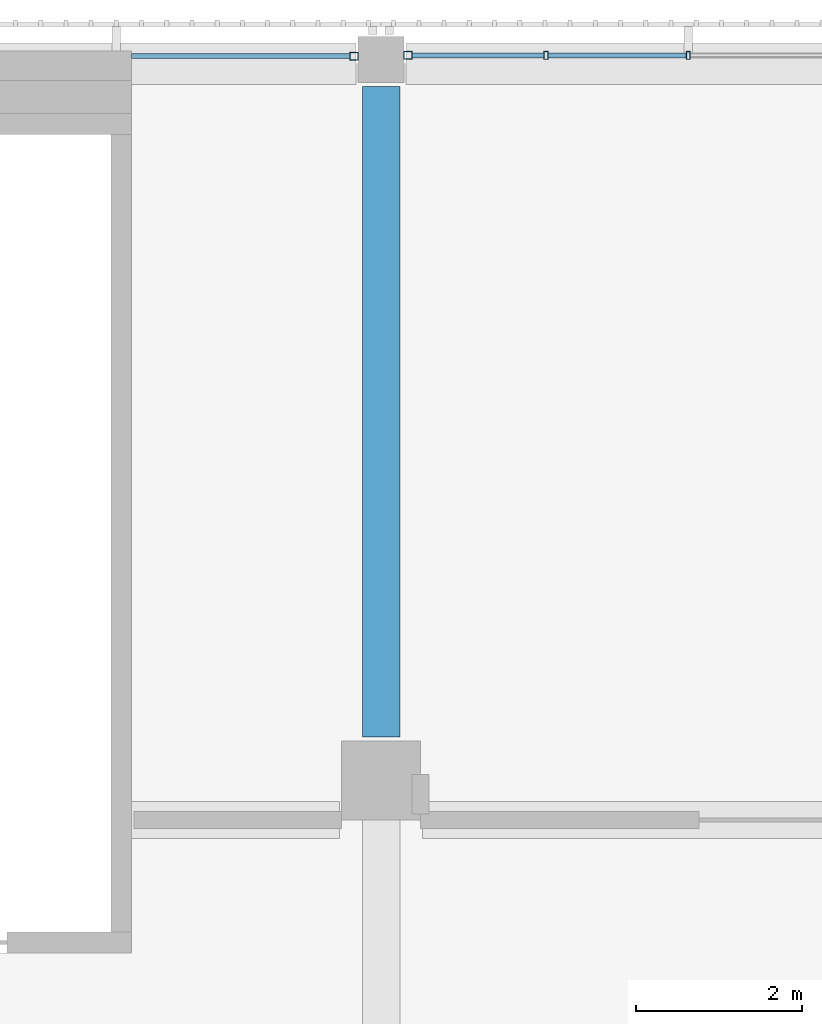
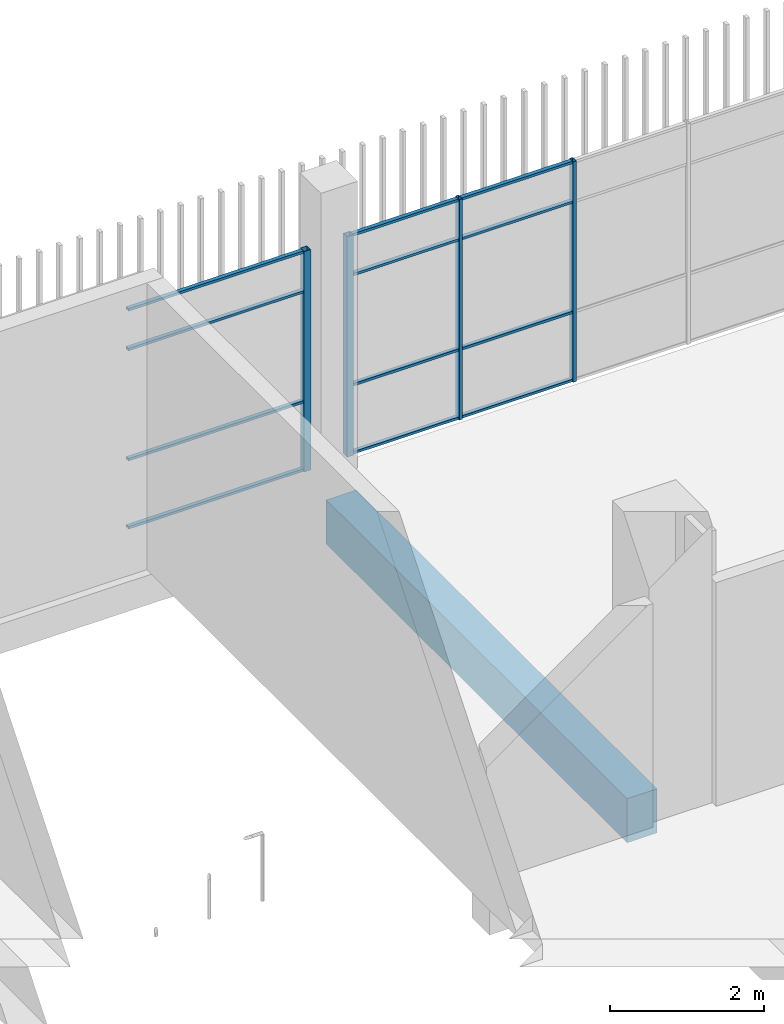
# One storey, part 34 of 104: 16 members, 1 beam, 2 elements without a shape of their own.
"""IFC4 building model written with IfcOpenShell, lengths in metres."""

from ifc_helpers import new_model, si_unit, direction, frame, origin, origin_2d, place, context, subcontext, project, spatial, rectangle, hollow_rectangle, extrude, material, layer, layer_set, material_profile, profile_set, type_object, element, aggregate, save


model = new_model("IFC4")

# Units and contexts
model_context = context("Model", 3, precision=1e-05, world=origin(), true_north=direction((0.0, 1.0)))
body_context = subcontext(model_context, "Body", "Model", "MODEL_VIEW")
ifc_project = project(units=[si_unit("LENGTHUNIT", "METRE"), si_unit("AREAUNIT", "SQUARE_METRE"), si_unit("VOLUMEUNIT", "CUBIC_METRE"), si_unit("PLANEANGLEUNIT", "RADIAN"), si_unit("MASSUNIT", "GRAM", prefix="KILO")], contexts=[model_context])

# Site, building, storey
site_placement = place(None, origin())
site = spatial("IfcSite", under=ifc_project, at=site_placement, CompositionType="ELEMENT")
building_placement = place(site_placement, origin())
building = spatial("IfcBuilding", under=site, at=building_placement, Name="Shirokan Park Arena", CompositionType="ELEMENT")
storey_placement = place(building_placement, frame((0.0, 0.0, 10.919921875)))
storey = spatial("IfcBuildingStorey", under=building, at=storey_placement, Name="L02", CompositionType="ELEMENT", Elevation=10.919921875)

# Curtain wall, member
ifc_material_1 = material(Name="Steel and glass curtain wall", Category="steel")
ifc_layer_1 = layer(ifc_material_1, 0.10009765625)
ifc_layer_set_1 = layer_set([ifc_layer_1], Name="Steel and glass curtain wall 100 mm")
curtain_wall_type_1 = type_object("IfcCurtainWallType", Name="Curtain wall sheltered bay 100", PredefinedType="NOTDEFINED", material=ifc_layer_set_1)
curtain_wall_1_placement = place(storey_placement, origin())
curtain_wall_1 = element("IfcCurtainWall", 1, at=curtain_wall_1_placement, inside=storey, type_object=curtain_wall_type_1, Name="Curtain wall north bay 6 L02", PredefinedType="NOTDEFINED")
ifc_material_2 = material(Name="Steel S355", Category="steel")
ifc_material_profile_1 = material_profile(ifc_material_2, hollow_rectangle(XDim=0.10009765625, YDim=0.10009765625, WallThickness=0.006103515625, at=origin_2d()), Name="RHS 100x100x6")
ifc_profile_set_1 = profile_set([ifc_material_profile_1], Name="Steel S355")
member_type_1 = type_object("IfcMemberType", Name="Mullion RHS 100x100x6", PredefinedType="MULLION", material=ifc_profile_set_1)
member_1_placement = place(storey_placement, frame((91.324951171875, 109.300048828125, 0.0), z_axis=(0.0, 0.0, 1.0), x_axis=(0.0, -1.0, 0.0)))
member_1 = element("IfcMember", 2, at=member_1_placement, type_object=member_type_1, Name="CW2 mullion 6", PredefinedType="MULLION", context=body_context, shape_type="SweptSolid", body=[
    extrude(hollow_rectangle(XDim=0.10009765625, YDim=0.10009765625, WallThickness=0.006103515625, at=origin_2d()), origin(), (0.0, 0.0, 1.0), 3.5),
])

ifc_layer_2 = layer(ifc_material_1, 0.1201171875)
ifc_layer_set_2 = layer_set([ifc_layer_2], Name="Steel and glass curtain wall 120 mm")
curtain_wall_type_2 = type_object("IfcCurtainWallType", Name="Curtain wall corner block side bay 120", PredefinedType="NOTDEFINED", material=ifc_layer_set_2)
curtain_wall_2_placement = place(storey_placement, origin())
curtain_wall_2 = element("IfcCurtainWall", 3, at=curtain_wall_2_placement, inside=storey, type_object=curtain_wall_type_2, Name="Curtain wall north bay 7 L02", PredefinedType="NOTDEFINED")
member_2_placement = place(storey_placement, frame((90.675048828125, 109.2900390625, 0.0), z_axis=(0.0, 0.0, 1.0), x_axis=(0.0, -1.0, 0.0)))
member_2 = element("IfcMember", 4, at=member_2_placement, type_object=member_type_1, Name="CW3 mullion 1", PredefinedType="MULLION", context=body_context, shape_type="SweptSolid", body=[
    extrude(hollow_rectangle(XDim=0.10009765625, YDim=0.10009765625, WallThickness=0.006103515625, at=origin_2d()), origin(), (0.0, 0.0, 1.0), 3.5),
])

# Member
ifc_material_profile_2 = material_profile(ifc_material_2, hollow_rectangle(XDim=0.10009765625, YDim=0.050048828125, WallThickness=0.0048828125, at=origin_2d()), Name="RHS 100x50x5")
ifc_profile_set_2 = profile_set([ifc_material_profile_2], Name="Steel S355")
member_type_2 = type_object("IfcMemberType", Name="Mullion RHS 100x50x5", PredefinedType="MULLION", material=ifc_profile_set_2)
member_3_placement = place(storey_placement, frame((94.695068359375, 109.300048828125, 0.0), z_axis=(0.0, 0.0, 1.0), x_axis=(0.0, -1.0, 0.0)))
member_3 = element("IfcMember", 5, at=member_3_placement, type_object=member_type_2, Name="CW2 mullion 4", PredefinedType="MULLION", context=body_context, shape_type="SweptSolid", body=[
    extrude(hollow_rectangle(XDim=0.10009765625, YDim=0.050048828125, WallThickness=0.0048828125, at=origin_2d()), origin(), (0.0, 0.0, 1.0), 3.5),
])

member_4_placement = place(storey_placement, frame((92.985107421875, 109.300048828125, 0.0), z_axis=(0.0, 0.0, 1.0), x_axis=(0.0, -1.0, 0.0)))
member_4 = element("IfcMember", 6, at=member_4_placement, type_object=member_type_2, Name="CW2 mullion 5", PredefinedType="MULLION", context=body_context, shape_type="SweptSolid", body=[
    extrude(hollow_rectangle(XDim=0.10009765625, YDim=0.050048828125, WallThickness=0.0048828125, at=origin_2d()), origin(), (0.0, 0.0, 1.0), 3.5),
])

# Beam
ifc_material_3 = material(Name="Concrete C35", Category="concrete")
ifc_material_profile_3 = material_profile(ifc_material_3, rectangle(XDim=0.449951171875, YDim=0.699951171875, at=origin_2d()), Name="450x700")
ifc_profile_set_3 = profile_set([ifc_material_profile_3], Name="Concrete C35")
beam_type = type_object("IfcBeamType", Name="RC girder 450x700", PredefinedType="BEAM", material=ifc_profile_set_3)
beam_placement = place(storey_placement, frame((91.0, 101.10009765625, -0.64990234375), z_axis=(0.0, 1.0, 0.0), x_axis=(-1.0, 0.0, 0.0)))
element("IfcBeam", 7, at=beam_placement, inside=storey, type_object=beam_type, Name="Girder 11M-11N L02", PredefinedType="BEAM", context=body_context, shape_type="SweptSolid", body=[
    extrude(rectangle(XDim=0.449951171875, YDim=0.699951171875, at=origin_2d()), origin(), (0.0, 0.0, 1.0), 7.82470703125),
])

# Member
ifc_material_profile_4 = material_profile(ifc_material_2, hollow_rectangle(XDim=0.06005859375, YDim=0.0400390625, WallThickness=0.00390625, at=origin_2d()), Name="RHS 60x40x4")
ifc_profile_set_4 = profile_set([ifc_material_profile_4], Name="Steel S355")
member_type_3 = type_object("IfcMemberType", Name="Transom RHS 60x40x4", PredefinedType="MULLION", material=ifc_profile_set_4)
member_5_placement = place(storey_placement, frame((94.669921875, 109.300048828125, 0.02001953125), z_axis=(-1.0, 0.0, 0.0), x_axis=(0.0, -1.0, 0.0)))
member_5 = element("IfcMember", 8, at=member_5_placement, type_object=member_type_3, Name="CW2 transom 4.1", PredefinedType="MULLION", context=body_context, shape_type="SweptSolid", body=[
    extrude(hollow_rectangle(XDim=0.06005859375, YDim=0.0400390625, WallThickness=0.00390625, at=origin_2d()), origin(), (0.0, 0.0, 1.0), 1.659912109375),
])

member_6_placement = place(storey_placement, frame((94.669921875, 109.300048828125, 1.10009765625), z_axis=(-1.0, 0.0, 0.0), x_axis=(0.0, -1.0, 0.0)))
member_6 = element("IfcMember", 9, at=member_6_placement, type_object=member_type_3, Name="CW2 transom 4.2", PredefinedType="MULLION", context=body_context, shape_type="SweptSolid", body=[
    extrude(hollow_rectangle(XDim=0.06005859375, YDim=0.0400390625, WallThickness=0.00390625, at=origin_2d()), origin(), (0.0, 0.0, 1.0), 1.659912109375),
])

member_7_placement = place(storey_placement, frame((94.669921875, 109.300048828125, 2.85009765625), z_axis=(-1.0, 0.0, 0.0), x_axis=(0.0, -1.0, 0.0)))
member_7 = element("IfcMember", 10, at=member_7_placement, type_object=member_type_3, Name="CW2 transom 4.3", PredefinedType="MULLION", context=body_context, shape_type="SweptSolid", body=[
    extrude(hollow_rectangle(XDim=0.06005859375, YDim=0.0400390625, WallThickness=0.00390625, at=origin_2d()), origin(), (0.0, 0.0, 1.0), 1.659912109375),
])

member_8_placement = place(storey_placement, frame((94.669921875, 109.300048828125, 3.47998046875), z_axis=(-1.0, 0.0, 0.0), x_axis=(0.0, -1.0, 0.0)))
member_8 = element("IfcMember", 11, at=member_8_placement, type_object=member_type_3, Name="CW2 transom 4.4", PredefinedType="MULLION", context=body_context, shape_type="SweptSolid", body=[
    extrude(hollow_rectangle(XDim=0.06005859375, YDim=0.0400390625, WallThickness=0.00390625, at=origin_2d()), origin(), (0.0, 0.0, 1.0), 1.659912109375),
])

member_9_placement = place(storey_placement, frame((92.9599609375, 109.300048828125, 0.02001953125), z_axis=(-1.0, 0.0, 0.0), x_axis=(0.0, -1.0, 0.0)))
member_9 = element("IfcMember", 12, at=member_9_placement, type_object=member_type_3, Name="CW2 transom 5.1", PredefinedType="MULLION", context=body_context, shape_type="SweptSolid", body=[
    extrude(hollow_rectangle(XDim=0.06005859375, YDim=0.0400390625, WallThickness=0.00390625, at=origin_2d()), origin(), (0.0, 0.0, 1.0), 1.5849609375),
])

member_10_placement = place(storey_placement, frame((92.9599609375, 109.300048828125, 1.10009765625), z_axis=(-1.0, 0.0, 0.0), x_axis=(0.0, -1.0, 0.0)))
member_10 = element("IfcMember", 13, at=member_10_placement, type_object=member_type_3, Name="CW2 transom 5.2", PredefinedType="MULLION", context=body_context, shape_type="SweptSolid", body=[
    extrude(hollow_rectangle(XDim=0.06005859375, YDim=0.0400390625, WallThickness=0.00390625, at=origin_2d()), origin(), (0.0, 0.0, 1.0), 1.5849609375),
])

member_11_placement = place(storey_placement, frame((92.9599609375, 109.300048828125, 2.85009765625), z_axis=(-1.0, 0.0, 0.0), x_axis=(0.0, -1.0, 0.0)))
member_11 = element("IfcMember", 14, at=member_11_placement, type_object=member_type_3, Name="CW2 transom 5.3", PredefinedType="MULLION", context=body_context, shape_type="SweptSolid", body=[
    extrude(hollow_rectangle(XDim=0.06005859375, YDim=0.0400390625, WallThickness=0.00390625, at=origin_2d()), origin(), (0.0, 0.0, 1.0), 1.5849609375),
])

member_12_placement = place(storey_placement, frame((92.9599609375, 109.300048828125, 3.47998046875), z_axis=(-1.0, 0.0, 0.0), x_axis=(0.0, -1.0, 0.0)))
member_12 = element("IfcMember", 15, at=member_12_placement, type_object=member_type_3, Name="CW2 transom 5.4", PredefinedType="MULLION", context=body_context, shape_type="SweptSolid", body=[
    extrude(hollow_rectangle(XDim=0.06005859375, YDim=0.0400390625, WallThickness=0.00390625, at=origin_2d()), origin(), (0.0, 0.0, 1.0), 1.5849609375),
])

aggregate(curtain_wall_1, [member_3, member_4, member_1, member_5, member_6, member_7, member_8, member_9, member_10, member_11, member_12])

member_13_placement = place(storey_placement, frame((90.625, 109.2900390625, 0.02001953125), z_axis=(-1.0, 0.0, 0.0), x_axis=(0.0, -1.0, 0.0)))
member_13 = element("IfcMember", 16, at=member_13_placement, type_object=member_type_3, Name="CW3 transom 1.1", PredefinedType="MULLION", context=body_context, shape_type="SweptSolid", body=[
    extrude(hollow_rectangle(XDim=0.06005859375, YDim=0.0400390625, WallThickness=0.00390625, at=origin_2d()), origin(), (0.0, 0.0, 1.0), 2.625),
])

member_14_placement = place(storey_placement, frame((90.625, 109.2900390625, 1.10009765625), z_axis=(-1.0, 0.0, 0.0), x_axis=(0.0, -1.0, 0.0)))
member_14 = element("IfcMember", 17, at=member_14_placement, type_object=member_type_3, Name="CW3 transom 1.2", PredefinedType="MULLION", context=body_context, shape_type="SweptSolid", body=[
    extrude(hollow_rectangle(XDim=0.06005859375, YDim=0.0400390625, WallThickness=0.00390625, at=origin_2d()), origin(), (0.0, 0.0, 1.0), 2.625),
])

member_15_placement = place(storey_placement, frame((90.625, 109.2900390625, 2.85009765625), z_axis=(-1.0, 0.0, 0.0), x_axis=(0.0, -1.0, 0.0)))
member_15 = element("IfcMember", 18, at=member_15_placement, type_object=member_type_3, Name="CW3 transom 1.3", PredefinedType="MULLION", context=body_context, shape_type="SweptSolid", body=[
    extrude(hollow_rectangle(XDim=0.06005859375, YDim=0.0400390625, WallThickness=0.00390625, at=origin_2d()), origin(), (0.0, 0.0, 1.0), 2.625),
])

member_16_placement = place(storey_placement, frame((90.625, 109.2900390625, 3.47998046875), z_axis=(-1.0, 0.0, 0.0), x_axis=(0.0, -1.0, 0.0)))
member_16 = element("IfcMember", 19, at=member_16_placement, type_object=member_type_3, Name="CW3 transom 1.4", PredefinedType="MULLION", context=body_context, shape_type="SweptSolid", body=[
    extrude(hollow_rectangle(XDim=0.06005859375, YDim=0.0400390625, WallThickness=0.00390625, at=origin_2d()), origin(), (0.0, 0.0, 1.0), 2.625),
])

aggregate(curtain_wall_2, [member_2, member_13, member_14, member_15, member_16])

save(model, "model.ifc")
